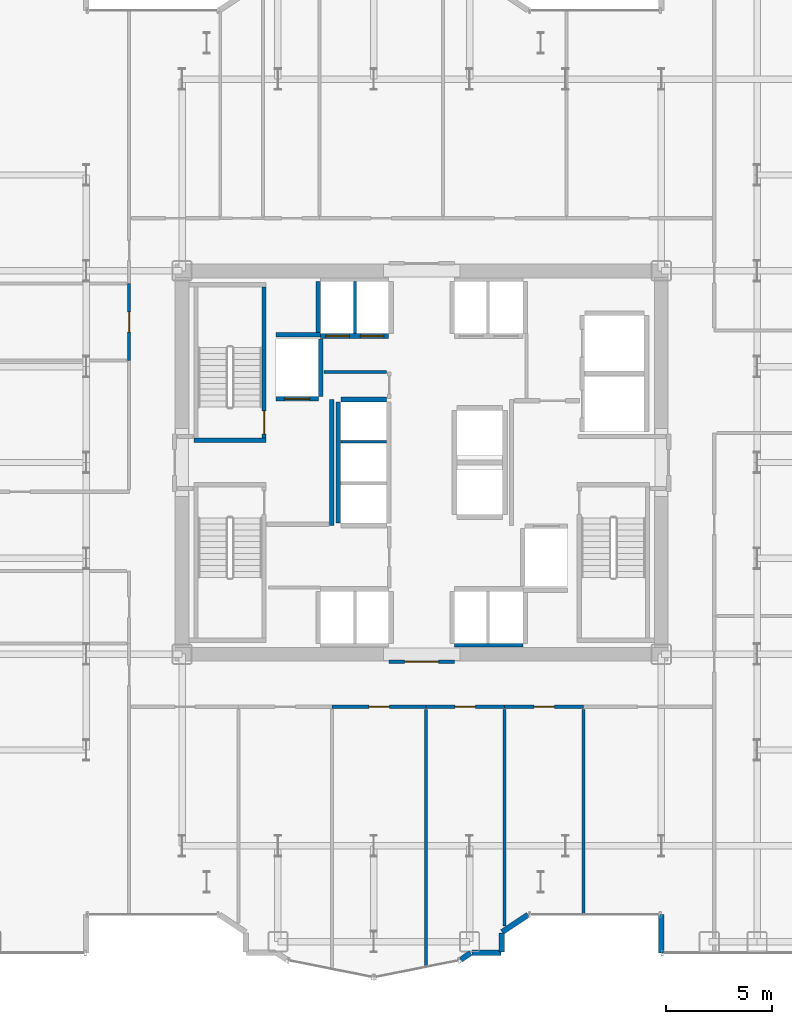
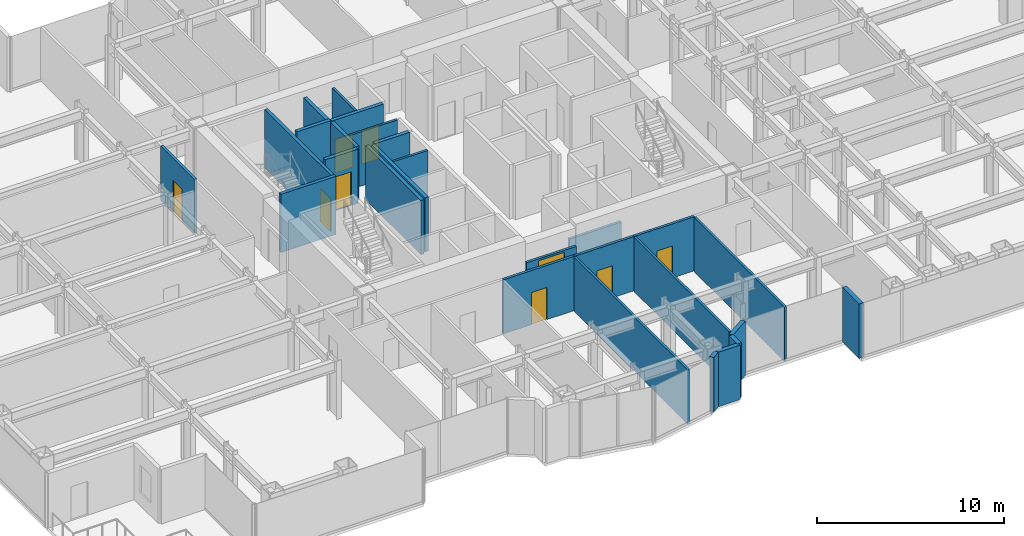
# One storey, part 21 of 27: 27 walls, 9 doors, 9 openings.
"""IFC4 building model written with IfcOpenShell, lengths in metres."""

from ifc_helpers import new_model, si_unit, direction, frame, frame_2d, origin, place, context, subcontext, project, spatial, rectangle, extrude, source, transform, mapped, material, layer, layer_set, type_object, element, fill, save


model = new_model("IFC4")

# Units and contexts
model_context = context("Model", 3, precision=1e-05, world=origin(), true_north=direction((0.0, 1.0)))
body_context = subcontext(model_context, "Body", "Model", "MODEL_VIEW")
ifc_project = project(units=[si_unit("LENGTHUNIT", "METRE"), si_unit("AREAUNIT", "SQUARE_METRE"), si_unit("VOLUMEUNIT", "CUBIC_METRE"), si_unit("PLANEANGLEUNIT", "RADIAN"), si_unit("MASSUNIT", "GRAM", prefix="KILO")], contexts=[model_context])

# Site, building, storey
site_placement = place(None, origin())
site = spatial("IfcSite", under=ifc_project, at=site_placement, CompositionType="ELEMENT")
building_placement = place(site_placement, origin())
building = spatial("IfcBuilding", under=site, at=building_placement, Name="Nefas-Gora Pilgrimage Tower", CompositionType="ELEMENT")
storey_placement = place(building_placement, frame((0.0, 0.0, 48.199951171875)))
storey = spatial("IfcBuildingStorey", under=building, at=storey_placement, Name="L10", CompositionType="ELEMENT", Elevation=48.199951171875)

# Walls
ifc_material_1 = material(Name="Precast concrete C40/50", Category="concrete")
ifc_layer_1 = layer(ifc_material_1, 0.260009765625)
ifc_layer_set_1 = layer_set([ifc_layer_1], Name="Precast concrete C40/50")
wall_type_1 = type_object("IfcWallType", Name="EW-PORTAL-260", PredefinedType="SOLIDWALL", material=ifc_layer_set_1)
shared_shape_1 = source(origin(), body_context, "Body", "SweptSolid", [
    extrude(rectangle(XDim=1.800048828125, YDim=0.260009765625, at=frame_2d((0.89990234375, 0.0))), origin(), (0.0, 0.0, 1.0), 3.550048828125),
])
wall_1_placement = place(storey_placement, frame((11.25, -21.219970703125, 0.0), z_axis=(0.0, 0.0, 1.0), x_axis=(0.0, -1.0, 0.0)))
element("IfcWall", 1, at=wall_1_placement, inside=storey, type_object=wall_type_1, Name="L10 Lobe Shoulder Precast Spandrel Pier 1", PredefinedType="SOLIDWALL", context=body_context, shape_type="MappedRepresentation", body=[
    mapped(shared_shape_1, transform((0.0, 0.0, 0.0), x_axis=(1.0, 0.0, 0.0), y_axis=(0.0, 1.0, 0.0), z_axis=(0.0, 0.0, 1.0), scale=1.0)),
])
shared_shape_2 = source(origin(), body_context, "Body", "SweptSolid", [
    extrude(rectangle(XDim=1.468994140625, YDim=0.260009765625, at=frame_2d((0.734375, 0.0))), origin(), (0.0, 0.0, 1.0), 3.550048828125),
])
wall_2_placement = place(storey_placement, frame((3.773193359375, -22.0517578125, 0.0), z_axis=(0.0, 0.0, 1.0), x_axis=(0.831461760506, 0.555581983884, 0.0)))
element("IfcWall", 2, at=wall_2_placement, inside=storey, type_object=wall_type_1, Name="L10 Lobe Shoulder Precast Spandrel Pier 35", PredefinedType="SOLIDWALL", context=body_context, shape_type="MappedRepresentation", body=[
    mapped(shared_shape_2, transform((0.0, 0.0, 0.0), x_axis=(1.0, 0.0, 0.0), y_axis=(0.0, 1.0, 0.0), z_axis=(0.0, 0.0, 1.0), scale=1.0)),
])
shared_shape_3 = source(origin(), body_context, "Body", "SweptSolid", [
    extrude(rectangle(XDim=0.896728515625, YDim=0.260009765625, at=frame_2d((0.4482421875, 0.0))), origin(), (0.0, 0.0, 1.0), 3.550048828125),
])
wall_3_placement = place(storey_placement, frame((3.75, -22.991943359375, 0.0), z_axis=(0.0, 0.0, 1.0), x_axis=(0.0, 1.0, 0.0)))
element("IfcWall", 3, at=wall_3_placement, inside=storey, type_object=wall_type_1, Name="L10 Lobe Shoulder Precast Spandrel Pier 34", PredefinedType="SOLIDWALL", context=body_context, shape_type="MappedRepresentation", body=[
    mapped(shared_shape_3, transform((0.0, 0.0, 0.0), x_axis=(1.0, 0.0, 0.0), y_axis=(0.0, 1.0, 0.0), z_axis=(0.0, 0.0, 1.0), scale=1.0)),
])
shared_shape_4 = source(origin(), body_context, "Body", "SweptSolid", [
    extrude(rectangle(XDim=1.369873046875, YDim=0.260009765625, at=frame_2d((0.68505859375, 0.0))), origin(), (0.0, 0.0, 1.0), 3.550048828125),
])
wall_4_placement = place(storey_placement, frame((2.35205078125, -23.02001953125, 0.0), z_axis=(0.0, 0.0, 1.0), x_axis=(1.0, 0.0, 0.0)))
element("IfcWall", 4, at=wall_4_placement, inside=storey, type_object=wall_type_1, Name="L10 Lobe Shoulder Precast Spandrel Pier 33", PredefinedType="SOLIDWALL", context=body_context, shape_type="MappedRepresentation", body=[
    mapped(shared_shape_4, transform((0.0, 0.0, 0.0), x_axis=(1.0, 0.0, 0.0), y_axis=(0.0, 1.0, 0.0), z_axis=(0.0, 0.0, 1.0), scale=1.0)),
])
shared_shape_5 = source(origin(), body_context, "Body", "SweptSolid", [
    extrude(rectangle(XDim=0.5654296875, YDim=0.260009765625, at=frame_2d((0.28271484375, 0.0))), origin(), (0.0, 0.0, 1.0), 3.550048828125),
])
wall_5_placement = place(storey_placement, frame((1.83056640625, -23.349609375, 0.0), z_axis=(0.0, 0.0, 1.0), x_axis=(0.831651492666, 0.555297933317, 0.0)))
element("IfcWall", 5, at=wall_5_placement, inside=storey, type_object=wall_type_1, Name="L10 Lobe Shoulder Precast Spandrel Pier 32", PredefinedType="SOLIDWALL", context=body_context, shape_type="MappedRepresentation", body=[
    mapped(shared_shape_5, transform((0.0, 0.0, 0.0), x_axis=(1.0, 0.0, 0.0), y_axis=(0.0, 1.0, 0.0), z_axis=(0.0, 0.0, 1.0), scale=1.0)),
])
ifc_material_2 = material(Name="Concrete C45/55", Category="concrete")
ifc_layer_2 = layer(ifc_material_2, 0.199951171875)
ifc_layer_set_2 = layer_set([ifc_layer_2], Name="Concrete C45/55")
wall_type_2 = type_object("IfcWallType", Name="IW-STAIR-200", PredefinedType="SOLIDWALL", material=ifc_layer_set_2)
shared_shape_6 = source(origin(), body_context, "Body", "SweptSolid", [
    extrude(rectangle(XDim=3.39990234375, YDim=0.199951171875, at=frame_2d((1.699951171875, 0.0))), origin(), (0.0, 0.0, 1.0), 3.800048828125),
])
wall_6_placement = place(storey_placement, frame((-7.300048828125, 1.050048828125, 0.0), z_axis=(0.0, 0.0, 1.0), x_axis=(-1.0, 0.0, 0.0)))
element("IfcWall", 6, at=wall_6_placement, inside=storey, type_object=wall_type_2, Name="L10 Stairwell Shear Wall ST-01-near", PredefinedType="SOLIDWALL", context=body_context, shape_type="MappedRepresentation", body=[
    mapped(shared_shape_6, transform((0.0, 0.0, 0.0), x_axis=(1.0, 0.0, 0.0), y_axis=(0.0, 1.0, 0.0), z_axis=(0.0, 0.0, 1.0), scale=1.0)),
])

# Wall, opening, door
shared_shape_7 = source(origin(), body_context, "Body", "SweptSolid", [
    extrude(rectangle(XDim=7.10009765625, YDim=0.199951171875, at=frame_2d((3.550048828125, 0.0))), origin(), (0.0, 0.0, 1.0), 3.800048828125),
])
wall_7_placement = place(storey_placement, frame((-7.39990234375, 1.14990234375, 0.0), z_axis=(0.0, 0.0, 1.0), x_axis=(0.0, 1.0, 0.0)))
wall_7 = element("IfcWall", 7, at=wall_7_placement, inside=storey, type_object=wall_type_2, Name="L10 Stairwell Shear Wall ST-01-left", PredefinedType="SOLIDWALL", context=body_context, shape_type="MappedRepresentation", body=[
    mapped(shared_shape_7, transform((0.0, 0.0, 0.0), x_axis=(1.0, 0.0, 0.0), y_axis=(0.0, 1.0, 0.0), z_axis=(0.0, 0.0, 1.0), scale=1.0)),
])
opening_1_placement = place(wall_7_placement, frame((0.179931640625, 0.0, 0.0)))
opening_1 = element("IfcOpeningElement", 8, at=opening_1_placement, cuts=wall_7, Name="Opening ID-ST1", PredefinedType="OPENING", context=body_context, shape_type="SweptSolid", body=[
    extrude(rectangle(XDim=1.10009765625, YDim=2.14990234375, at=frame_2d((0.550048828125, 1.074951171875))), frame((0.0, 0.10986328125, 0.0), z_axis=(0.0, -1.0, 0.0), x_axis=(1.0, 0.0, 0.0)), (0.0, 0.0, 1.0), 0.219970703125),
])
ifc_material_3 = material(Name="Painted galvanised steel fire stair door", Category="steel")
door_type_1 = type_object("IfcDoorType", Name="DR-INT-STAIR-1100", OperationType="NOTDEFINED", PredefinedType="DOOR", material=ifc_material_3)
shared_shape_8 = source(origin(), body_context, "Body", "SweptSolid", [
    extrude(rectangle(XDim=1.10009765625, YDim=2.14990234375, at=frame_2d((0.550048828125, 1.074951171875))), frame((0.0, 0.02490234375, 0.0), z_axis=(0.0, -1.0, 0.0), x_axis=(1.0, 0.0, 0.0)), (0.0, 0.0, 1.0), 0.050048828125),
])
door_1_placement = place(opening_1_placement, origin())
door_1 = element("IfcDoor", 9, at=door_1_placement, inside=storey, type_object=door_type_1, Name="L10 Protected Exit Stair Door ST-01", OperationType="SINGLE_SWING_RIGHT", OverallHeight=2.14990234375, OverallWidth=1.10009765625, PredefinedType="DOOR", context=body_context, shape_type="MappedRepresentation", body=[
    mapped(shared_shape_8, transform((0.0, 0.0, 0.0), x_axis=(1.0, 0.0, 0.0), y_axis=(0.0, 1.0, 0.0), z_axis=(0.0, 0.0, 1.0), scale=1.0)),
])
fill(opening_1, door_1)

# Wall
ifc_material_4 = material(Name="Gypsum acoustic stud partition")
ifc_layer_3 = layer(ifc_material_4, 0.159912109375)
ifc_layer_set_3 = layer_set([ifc_layer_3], Name="Gypsum acoustic stud partition")
wall_type_3 = type_object("IfcWallType", Name="IW-CORR-160", PredefinedType="PARTITIONING", material=ifc_layer_set_3)
shared_shape_9 = source(origin(), body_context, "Body", "SweptSolid", [
    extrude(rectangle(XDim=3.199951171875, YDim=0.159912109375, at=frame_2d((1.60009765625, 0.0))), origin(), (0.0, 0.0, 1.0), 2.425048828125),
])
wall_8_placement = place(storey_placement, frame((1.550048828125, -8.580078125, 0.0), z_axis=(0.0, 0.0, 1.0), x_axis=(1.0, 0.0, 0.0)))
element("IfcWall", 10, at=wall_8_placement, inside=storey, type_object=wall_type_3, Name="L10 Hoistway Wall PL2-E-S", PredefinedType="PARTITIONING", context=body_context, shape_type="MappedRepresentation", body=[
    mapped(shared_shape_9, transform((0.0, 0.0, 0.0), x_axis=(1.0, 0.0, 0.0), y_axis=(0.0, 1.0, 0.0), z_axis=(0.0, 0.0, 1.0), scale=1.0)),
])

# Wall, opening, door
ifc_material_5 = material(Name="Concrete C40/50", Category="concrete")
ifc_layer_4 = layer(ifc_material_5, 0.219970703125)
ifc_layer_set_4 = layer_set([ifc_layer_4], Name="Concrete C40/50")
wall_type_4 = type_object("IfcWallType", Name="IW-SHAFT-220", PredefinedType="SOLIDWALL", material=ifc_layer_set_4)
shared_shape_10 = source(origin(), body_context, "Body", "SweptSolid", [
    extrude(rectangle(XDim=2.0, YDim=0.219970703125, at=frame_2d((1.0, 0.0))), origin(), (0.0, 0.0, 1.0), 3.53515625),
])
wall_9_placement = place(storey_placement, frame((-6.85009765625, 2.989990234375, 0.0), z_axis=(0.0, 0.0, 1.0), x_axis=(1.0, 0.0, 0.0)))
wall_9 = element("IfcWall", 11, at=wall_9_placement, inside=storey, type_object=wall_type_4, Name="L10 Hoistway Wall FFL-01-S", PredefinedType="SOLIDWALL", context=body_context, shape_type="MappedRepresentation", body=[
    mapped(shared_shape_10, transform((0.0, 0.0, 0.0), x_axis=(1.0, 0.0, 0.0), y_axis=(0.0, 1.0, 0.0), z_axis=(0.0, 0.0, 1.0), scale=1.0)),
])
opening_2_placement = place(wall_9_placement, frame((0.39990234375, 0.0, 0.0)))
opening_2 = element("IfcOpeningElement", 12, at=opening_2_placement, cuts=wall_9, Name="Opening LD-FF", PredefinedType="OPENING", context=body_context, shape_type="SweptSolid", body=[
    extrude(rectangle(XDim=1.199951171875, YDim=2.199951171875, at=frame_2d((0.60009765625, 1.10009765625))), frame((0.0, 0.119873046875, 0.0), z_axis=(0.0, -1.0, 0.0), x_axis=(1.0, 0.0, 0.0)), (0.0, 0.0, 1.0), 0.239990234375),
])
ifc_material_6 = material(Name="Fire-service sliding lift landing door")
door_type_2 = type_object("IfcDoorType", Name="DR-LIFT-FSAE-1200", OperationType="SLIDING_TO_LEFT", PredefinedType="DOOR", material=ifc_material_6)
shared_shape_11 = source(origin(), body_context, "Body", "SweptSolid", [
    extrude(rectangle(XDim=1.199951171875, YDim=2.199951171875, at=frame_2d((0.60009765625, 1.10009765625))), frame((0.0, 0.02490234375, 0.0), z_axis=(0.0, -1.0, 0.0), x_axis=(1.0, 0.0, 0.0)), (0.0, 0.0, 1.0), 0.050048828125),
])
door_2_placement = place(opening_2_placement, origin())
door_2 = element("IfcDoor", 13, at=door_2_placement, inside=storey, type_object=door_type_2, Name="L10 Sliding Lift Landing Door FFL-01", OperationType="SLIDING_TO_LEFT", OverallHeight=2.199951171875, OverallWidth=1.199951171875, PredefinedType="DOOR", context=body_context, shape_type="MappedRepresentation", body=[
    mapped(shared_shape_11, transform((0.0, 0.0, 0.0), x_axis=(1.0, 0.0, 0.0), y_axis=(0.0, 1.0, 0.0), z_axis=(0.0, 0.0, 1.0), scale=1.0)),
])
fill(opening_2, door_2)

# Wall
shared_shape_12 = source(origin(), body_context, "Body", "SweptSolid", [
    extrude(rectangle(XDim=2.679931640625, YDim=0.219970703125, at=frame_2d((1.33984375, 0.0))), origin(), (0.0, 0.0, 1.0), 3.53515625),
])
wall_10_placement = place(storey_placement, frame((-4.739990234375, 3.110107421875, 0.0), z_axis=(0.0, 0.0, 1.0), x_axis=(0.0, 1.0, 0.0)))
element("IfcWall", 14, at=wall_10_placement, inside=storey, type_object=wall_type_4, Name="L10 Hoistway Wall FFL-01-E", PredefinedType="SOLIDWALL", context=body_context, shape_type="MappedRepresentation", body=[
    mapped(shared_shape_12, transform((0.0, 0.0, 0.0), x_axis=(1.0, 0.0, 0.0), y_axis=(0.0, 1.0, 0.0), z_axis=(0.0, 0.0, 1.0), scale=1.0)),
])

# Wall, openings, doors
shared_shape_13 = source(origin(), body_context, "Body", "SweptSolid", [
    extrude(rectangle(XDim=3.199951171875, YDim=0.219970703125, at=frame_2d((1.60009765625, 0.0))), origin(), (0.0, 0.0, 1.0), 3.53515625),
])
wall_11_placement = place(storey_placement, frame((-4.75, 5.93994140625, 0.0), z_axis=(0.0, 0.0, 1.0), x_axis=(1.0, 0.0, 0.0)))
wall_11 = element("IfcWall", 15, at=wall_11_placement, inside=storey, type_object=wall_type_4, Name="L10 Hoistway Wall PL1-W-S", PredefinedType="SOLIDWALL", context=body_context, shape_type="MappedRepresentation", body=[
    mapped(shared_shape_13, transform((0.0, 0.0, 0.0), x_axis=(1.0, 0.0, 0.0), y_axis=(0.0, 1.0, 0.0), z_axis=(0.0, 0.0, 1.0), scale=1.0)),
])
opening_3_placement = place(wall_11_placement, frame((0.25, 0.0, 0.0)))
opening_3 = element("IfcOpeningElement", 16, at=opening_3_placement, cuts=wall_11, Name="Opening LD-01", PredefinedType="OPENING", context=body_context, shape_type="SweptSolid", body=[
    extrude(rectangle(XDim=1.10009765625, YDim=2.199951171875, at=frame_2d((0.550048828125, 1.10009765625))), frame((0.0, 0.119873046875, 0.0), z_axis=(0.0, -1.0, 0.0), x_axis=(1.0, 0.0, 0.0)), (0.0, 0.0, 1.0), 0.239990234375),
])
opening_4_placement = place(wall_11_placement, frame((1.875, 0.0, 0.0)))
opening_4 = element("IfcOpeningElement", 17, at=opening_4_placement, cuts=wall_11, Name="Opening LD-01", PredefinedType="OPENING", context=body_context, shape_type="SweptSolid", body=[
    extrude(rectangle(XDim=1.10009765625, YDim=2.199951171875, at=frame_2d((0.550048828125, 1.10009765625))), frame((0.0, 0.119873046875, 0.0), z_axis=(0.0, -1.0, 0.0), x_axis=(1.0, 0.0, 0.0)), (0.0, 0.0, 1.0), 0.239990234375),
])
ifc_material_7 = material(Name="Brushed stainless sliding lift landing door")
door_type_3 = type_object("IfcDoorType", Name="DR-LIFT-PASS-1100", OperationType="DOUBLE_DOOR_SLIDING", PredefinedType="DOOR", material=ifc_material_7)
shared_shape_14 = source(origin(), body_context, "Body", "SweptSolid", [
    extrude(rectangle(XDim=1.10009765625, YDim=2.199951171875, at=frame_2d((0.550048828125, 1.10009765625))), frame((0.0, 0.02490234375, 0.0), z_axis=(0.0, -1.0, 0.0), x_axis=(1.0, 0.0, 0.0)), (0.0, 0.0, 1.0), 0.050048828125),
])
door_3_placement = place(opening_3_placement, origin())
door_3 = element("IfcDoor", 18, at=door_3_placement, inside=storey, type_object=door_type_3, Name="L10 Sliding Lift Landing Door PL1-01", OperationType="DOUBLE_DOOR_SLIDING", OverallHeight=2.199951171875, OverallWidth=1.10009765625, PredefinedType="DOOR", context=body_context, shape_type="MappedRepresentation", body=[
    mapped(shared_shape_14, transform((0.0, 0.0, 0.0), x_axis=(1.0, 0.0, 0.0), y_axis=(0.0, 1.0, 0.0), z_axis=(0.0, 0.0, 1.0), scale=1.0)),
])
fill(opening_3, door_3)
door_4_placement = place(opening_4_placement, origin())
door_4 = element("IfcDoor", 19, at=door_4_placement, inside=storey, type_object=door_type_3, Name="L10 Sliding Lift Landing Door PL1-02", OperationType="DOUBLE_DOOR_SLIDING", OverallHeight=2.199951171875, OverallWidth=1.10009765625, PredefinedType="DOOR", context=body_context, shape_type="MappedRepresentation", body=[
    mapped(shared_shape_14, transform((0.0, 0.0, 0.0), x_axis=(1.0, 0.0, 0.0), y_axis=(0.0, 1.0, 0.0), z_axis=(0.0, 0.0, 1.0), scale=1.0)),
])
fill(opening_4, door_4)

# Walls
shared_shape_15 = source(origin(), body_context, "Body", "SweptSolid", [
    extrude(rectangle(XDim=2.429931640625, YDim=0.219970703125, at=frame_2d((1.21484375, 0.0))), origin(), (0.0, 0.0, 1.0), 3.53515625),
])
wall_12_placement = place(storey_placement, frame((-4.860107421875, 8.489990234375, 0.0), z_axis=(0.0, 0.0, 1.0), x_axis=(0.0, -1.0, 0.0)))
element("IfcWall", 20, at=wall_12_placement, inside=storey, type_object=wall_type_4, Name="L10 Hoistway Wall PL1-W-W", PredefinedType="SOLIDWALL", context=body_context, shape_type="MappedRepresentation", body=[
    mapped(shared_shape_15, transform((0.0, 0.0, 0.0), x_axis=(1.0, 0.0, 0.0), y_axis=(0.0, 1.0, 0.0), z_axis=(0.0, 0.0, 1.0), scale=1.0)),
])
ifc_material_8 = material(Name="Gypsum twin-stud partition")
ifc_layer_5 = layer(ifc_material_8, 0.139892578125)
ifc_layer_set_5 = layer_set([ifc_layer_5], Name="Gypsum twin-stud partition")
wall_type_5 = type_object("IfcWallType", Name="IW-UNIT-140", PredefinedType="PARTITIONING", material=ifc_layer_set_5)
shared_shape_16 = source(origin(), body_context, "Body", "SweptSolid", [
    extrude(rectangle(XDim=2.429931640625, YDim=0.139892578125, at=frame_2d((1.21484375, 0.0))), origin(), (0.0, 0.0, 1.0), 3.53515625),
])
wall_13_placement = place(storey_placement, frame((-3.125, 6.06005859375, 0.0), z_axis=(0.0, 0.0, 1.0), x_axis=(0.0, 1.0, 0.0)))
element("IfcWall", 21, at=wall_13_placement, inside=storey, type_object=wall_type_5, Name="L10 Hoistway Wall PL1-W-DIV", PredefinedType="PARTITIONING", context=body_context, shape_type="MappedRepresentation", body=[
    mapped(shared_shape_16, transform((0.0, 0.0, 0.0), x_axis=(1.0, 0.0, 0.0), y_axis=(0.0, 1.0, 0.0), z_axis=(0.0, 0.0, 1.0), scale=1.0)),
])
shared_shape_17 = source(origin(), body_context, "Body", "SweptSolid", [
    extrude(rectangle(XDim=5.7001953125, YDim=0.219970703125, at=frame_2d((2.85009765625, 0.0))), origin(), (0.0, 0.0, 1.0), 3.53515625),
])
wall_14_placement = place(storey_placement, frame((-3.909912109375, 2.85009765625, 0.0), z_axis=(0.0, 0.0, 1.0), x_axis=(0.0, -1.0, 0.0)))
element("IfcWall", 22, at=wall_14_placement, inside=storey, type_object=wall_type_4, Name="L10 Hoistway Wall PL3-01-03-W", PredefinedType="SOLIDWALL", context=body_context, shape_type="MappedRepresentation", body=[
    mapped(shared_shape_17, transform((0.0, 0.0, 0.0), x_axis=(1.0, 0.0, 0.0), y_axis=(0.0, 1.0, 0.0), z_axis=(0.0, 0.0, 1.0), scale=1.0)),
])
shared_shape_18 = source(origin(), body_context, "Body", "SweptSolid", [
    extrude(rectangle(XDim=2.130126953125, YDim=0.219970703125, at=frame_2d((1.06494140625, 0.0))), origin(), (0.0, 0.0, 1.0), 3.53515625),
])
wall_15_placement = place(storey_placement, frame((-1.659912109375, 2.9599609375, 0.0), z_axis=(0.0, 0.0, 1.0), x_axis=(-1.0, 0.0, 0.0)))
element("IfcWall", 23, at=wall_15_placement, inside=storey, type_object=wall_type_4, Name="L10 Hoistway Wall PL3-03-N", PredefinedType="SOLIDWALL", context=body_context, shape_type="MappedRepresentation", body=[
    mapped(shared_shape_18, transform((0.0, 0.0, 0.0), x_axis=(1.0, 0.0, 0.0), y_axis=(0.0, 1.0, 0.0), z_axis=(0.0, 0.0, 1.0), scale=1.0)),
])
shared_shape_19 = source(origin(), body_context, "Body", "SweptSolid", [
    extrude(rectangle(XDim=2.130126953125, YDim=0.139892578125, at=frame_2d((1.06494140625, 0.0))), origin(), (0.0, 0.0, 1.0), 3.53515625),
])
wall_16_placement = place(storey_placement, frame((-3.7900390625, 0.97509765625, 0.0), z_axis=(0.0, 0.0, 1.0), x_axis=(1.0, 0.0, 0.0)))
element("IfcWall", 24, at=wall_16_placement, inside=storey, type_object=wall_type_5, Name="L10 Hoistway Wall PL3-02-03-DIV", PredefinedType="PARTITIONING", context=body_context, shape_type="MappedRepresentation", body=[
    mapped(shared_shape_19, transform((0.0, 0.0, 0.0), x_axis=(1.0, 0.0, 0.0), y_axis=(0.0, 1.0, 0.0), z_axis=(0.0, 0.0, 1.0), scale=1.0)),
])

# Wall, opening, door
shared_shape_20 = source(origin(), body_context, "Body", "SweptSolid", [
    extrude(rectangle(XDim=3.08984375, YDim=0.159912109375, at=frame_2d((1.544921875, 0.0))), origin(), (0.0, 0.0, 1.0), 2.425048828125),
])
wall_17_placement = place(storey_placement, frame((-1.544921875, -9.35009765625, 0.0), z_axis=(0.0, 0.0, 1.0), x_axis=(1.0, 0.0, 0.0)))
wall_17 = element("IfcWall", 25, at=wall_17_placement, inside=storey, type_object=wall_type_3, Name="L10 Central Lift Lobby South Portal Wall 14", PredefinedType="PARTITIONING", context=body_context, shape_type="MappedRepresentation", body=[
    mapped(shared_shape_20, transform((0.0, 0.0, 0.0), x_axis=(1.0, 0.0, 0.0), y_axis=(0.0, 1.0, 0.0), z_axis=(0.0, 0.0, 1.0), scale=1.0)),
])
opening_5_placement = place(wall_17_placement, frame((0.7451171875, 0.0, 0.0)))
opening_5 = element("IfcOpeningElement", 26, at=opening_5_placement, cuts=wall_17, Name="Opening ID-HL1", PredefinedType="OPENING", context=body_context, shape_type="SweptSolid", body=[
    extrude(rectangle(XDim=1.60009765625, YDim=2.300048828125, at=frame_2d((0.800048828125, 1.14990234375))), frame((0.0, 0.08984375, 0.0), z_axis=(0.0, -1.0, 0.0), x_axis=(1.0, 0.0, 0.0)), (0.0, 0.0, 1.0), 0.179931640625),
])
ifc_material_9 = material(Name="Double acoustic timber assembly hall door", Category="wood")
door_type_4 = type_object("IfcDoorType", Name="DR-INT-HALL-1600", OperationType="DOUBLE_DOOR_SINGLE_SWING", PredefinedType="DOOR", material=ifc_material_9)
shared_shape_21 = source(origin(), body_context, "Body", "SweptSolid", [
    extrude(rectangle(XDim=1.60009765625, YDim=2.300048828125, at=frame_2d((0.800048828125, 1.14990234375))), frame((0.0, 0.02490234375, 0.0), z_axis=(0.0, -1.0, 0.0), x_axis=(1.0, 0.0, 0.0)), (0.0, 0.0, 1.0), 0.050048828125),
])
door_5_placement = place(opening_5_placement, origin())
door_5 = element("IfcDoor", 27, at=door_5_placement, inside=storey, type_object=door_type_4, Name="L10 Central Lift Lobby South Portal Door 5", OperationType="DOUBLE_DOOR_SINGLE_SWING", OverallHeight=2.300048828125, OverallWidth=1.60009765625, PredefinedType="DOOR", context=body_context, shape_type="MappedRepresentation", body=[
    mapped(shared_shape_21, transform((0.0, 0.0, 0.0), x_axis=(1.0, 0.0, 0.0), y_axis=(0.0, 1.0, 0.0), z_axis=(0.0, 0.0, 1.0), scale=1.0)),
])
fill(opening_5, door_5)

# Walls
shared_shape_22 = source(origin(), body_context, "Body", "SweptSolid", [
    extrude(rectangle(XDim=2.09521484375, YDim=0.219970703125, at=frame_2d((1.047607421875, 0.0))), origin(), (0.0, 0.0, 1.0), 3.53515625),
])
wall_18_placement = place(storey_placement, frame((-6.85009765625, 6.0, 0.0), z_axis=(0.0, 0.0, 1.0), x_axis=(1.0, 0.0, 0.0)))
element("IfcWall", 28, at=wall_18_placement, inside=storey, type_object=wall_type_4, Name="L10 Riser Shaft Wall 1", PredefinedType="SOLIDWALL", context=body_context, shape_type="MappedRepresentation", body=[
    mapped(shared_shape_22, transform((0.0, 0.0, 0.0), x_axis=(1.0, 0.0, 0.0), y_axis=(0.0, 1.0, 0.0), z_axis=(0.0, 0.0, 1.0), scale=1.0)),
])
ifc_material_10 = material(Name="Gypsum fire-rated shaftwall")
ifc_layer_6 = layer(ifc_material_10, 0.199951171875)
ifc_layer_set_6 = layer_set([ifc_layer_6], Name="Gypsum fire-rated shaftwall")
wall_type_6 = type_object("IfcWallType", Name="IW-FFLOB-200", PredefinedType="PARTITIONING", material=ifc_layer_set_6)
shared_shape_23 = source(origin(), body_context, "Body", "SweptSolid", [
    extrude(rectangle(XDim=5.89990234375, YDim=0.199951171875, at=frame_2d((2.949951171875, 0.0))), origin(), (0.0, 0.0, 1.0), 3.53515625),
])
wall_19_placement = place(storey_placement, frame((-4.219970703125, -2.949951171875, 0.0), z_axis=(0.0, 0.0, 1.0), x_axis=(0.0, 1.0, 0.0)))
element("IfcWall", 29, at=wall_19_placement, inside=storey, type_object=wall_type_6, Name="L10 FF Lobby West Inner Wall Wall 4", PredefinedType="PARTITIONING", context=body_context, shape_type="MappedRepresentation", body=[
    mapped(shared_shape_23, transform((0.0, 0.0, 0.0), x_axis=(1.0, 0.0, 0.0), y_axis=(0.0, 1.0, 0.0), z_axis=(0.0, 0.0, 1.0), scale=1.0)),
])
shared_shape_24 = source(origin(), body_context, "Body", "SweptSolid", [
    extrude(rectangle(XDim=2.9501953125, YDim=0.139892578125, at=frame_2d((1.47509765625, 0.0))), origin(), (0.0, 0.0, 1.0), 3.53515625),
])
wall_20_placement = place(storey_placement, frame((-4.590087890625, 4.25, 0.0), z_axis=(0.0, 0.0, 1.0), x_axis=(1.0, 0.0, 0.0)))
element("IfcWall", 30, at=wall_20_placement, inside=storey, type_object=wall_type_5, Name="L10 Housekeeping and Linen Store Partition Wall 17", PredefinedType="PARTITIONING", context=body_context, shape_type="MappedRepresentation", body=[
    mapped(shared_shape_24, transform((0.0, 0.0, 0.0), x_axis=(1.0, 0.0, 0.0), y_axis=(0.0, 1.0, 0.0), z_axis=(0.0, 0.0, 1.0), scale=1.0)),
])

# Wall, opening, door
shared_shape_25 = source(origin(), body_context, "Body", "SweptSolid", [
    extrude(rectangle(XDim=3.610107421875, YDim=0.159912109375, at=frame_2d((1.80517578125, 0.0))), origin(), (0.0, 0.0, 1.0), 3.53515625),
])
wall_21_placement = place(storey_placement, frame((-13.739990234375, 4.794921875, 0.0), z_axis=(0.0, 0.0, 1.0), x_axis=(0.0, 1.0, 0.0)))
wall_21 = element("IfcWall", 31, at=wall_21_placement, inside=storey, type_object=wall_type_3, Name="L10 Pilgrim Fellowship Seminar Room Partition Wall 31", PredefinedType="PARTITIONING", context=body_context, shape_type="MappedRepresentation", body=[
    mapped(shared_shape_25, transform((0.0, 0.0, 0.0), x_axis=(1.0, 0.0, 0.0), y_axis=(0.0, 1.0, 0.0), z_axis=(0.0, 0.0, 1.0), scale=1.0)),
])
opening_6_placement = place(wall_21_placement, frame((1.330078125, 0.0, 0.0)))
opening_6 = element("IfcOpeningElement", 32, at=opening_6_placement, cuts=wall_21, Name="Opening ID-GR1", PredefinedType="OPENING", context=body_context, shape_type="SweptSolid", body=[
    extrude(rectangle(XDim=0.949951171875, YDim=2.10009765625, at=frame_2d((0.47509765625, 1.050048828125))), frame((0.0, 0.08984375, 0.0), z_axis=(0.0, -1.0, 0.0), x_axis=(1.0, 0.0, 0.0)), (0.0, 0.0, 1.0), 0.179931640625),
])
ifc_material_11 = material(Name="Solid core oak fire-rated guest entrance door")
door_type_5 = type_object("IfcDoorType", Name="DR-INT-GUEST-950", OperationType="NOTDEFINED", PredefinedType="DOOR", material=ifc_material_11)
shared_shape_26 = source(origin(), body_context, "Body", "SweptSolid", [
    extrude(rectangle(XDim=0.949951171875, YDim=2.10009765625, at=frame_2d((0.47509765625, 1.050048828125))), frame((0.0, 0.02490234375, 0.0), z_axis=(0.0, -1.0, 0.0), x_axis=(1.0, 0.0, 0.0)), (0.0, 0.0, 1.0), 0.050048828125),
])
door_6_placement = place(opening_6_placement, origin())
door_6 = element("IfcDoor", 33, at=door_6_placement, inside=storey, type_object=door_type_5, Name="L10 Pilgrim Fellowship Seminar Room Door 13", OperationType="SINGLE_SWING_RIGHT", OverallHeight=2.10009765625, OverallWidth=0.949951171875, PredefinedType="DOOR", context=body_context, shape_type="MappedRepresentation", body=[
    mapped(shared_shape_26, transform((0.0, 0.0, 0.0), x_axis=(1.0, 0.0, 0.0), y_axis=(0.0, 1.0, 0.0), z_axis=(0.0, 0.0, 1.0), scale=1.0)),
])
fill(opening_6, door_6)

# Wall
shared_shape_27 = source(origin(), body_context, "Body", "SweptSolid", [
    extrude(rectangle(XDim=9.64990234375, YDim=0.139892578125, at=frame_2d((4.824951171875, 0.0))), origin(), (0.0, 0.0, 1.0), 3.53515625),
])
wall_22_placement = place(storey_placement, frame((7.594970703125, -21.239990234375, 0.0), z_axis=(0.0, 0.0, 1.0), x_axis=(0.0, 1.0, 0.0)))
element("IfcWall", 34, at=wall_22_placement, inside=storey, type_object=wall_type_5, Name="L10 Pilgrim Contemplative Lounge Partition Wall 61", PredefinedType="PARTITIONING", context=body_context, shape_type="MappedRepresentation", body=[
    mapped(shared_shape_27, transform((0.0, 0.0, 0.0), x_axis=(1.0, 0.0, 0.0), y_axis=(0.0, 1.0, 0.0), z_axis=(0.0, 0.0, 1.0), scale=1.0)),
])

# Wall, opening, door
shared_shape_28 = source(origin(), body_context, "Body", "SweptSolid", [
    extrude(rectangle(XDim=4.405029296875, YDim=0.159912109375, at=frame_2d((2.20263671875, 0.0))), origin(), (0.0, 0.0, 1.0), 3.53515625),
])
wall_23_placement = place(storey_placement, frame((-4.199951171875, -11.469970703125, 0.0), z_axis=(0.0, 0.0, 1.0), x_axis=(1.0, 0.0, 0.0)))
wall_23 = element("IfcWall", 35, at=wall_23_placement, inside=storey, type_object=wall_type_3, Name="L10 Pilgrim Contemplative Lounge Partition Wall 56", PredefinedType="PARTITIONING", context=body_context, shape_type="MappedRepresentation", body=[
    mapped(shared_shape_28, transform((0.0, 0.0, 0.0), x_axis=(1.0, 0.0, 0.0), y_axis=(0.0, 1.0, 0.0), z_axis=(0.0, 0.0, 1.0), scale=1.0)),
])
opening_7_placement = place(wall_23_placement, frame((1.7275390625, 0.0, 0.0)))
opening_7 = element("IfcOpeningElement", 36, at=opening_7_placement, cuts=wall_23, Name="Opening ID-GR1", PredefinedType="OPENING", context=body_context, shape_type="SweptSolid", body=[
    extrude(rectangle(XDim=0.949951171875, YDim=2.10009765625, at=frame_2d((0.47509765625, 1.050048828125))), frame((0.0, 0.08984375, 0.0), z_axis=(0.0, -1.0, 0.0), x_axis=(1.0, 0.0, 0.0)), (0.0, 0.0, 1.0), 0.179931640625),
])
door_7_placement = place(opening_7_placement, origin())
door_7 = element("IfcDoor", 37, at=door_7_placement, inside=storey, type_object=door_type_5, Name="L10 Pilgrim Contemplative Lounge Door 27", OperationType="SINGLE_SWING_RIGHT", OverallHeight=2.10009765625, OverallWidth=0.949951171875, PredefinedType="DOOR", context=body_context, shape_type="MappedRepresentation", body=[
    mapped(shared_shape_26, transform((0.0, 0.0, 0.0), x_axis=(1.0, 0.0, 0.0), y_axis=(0.0, 1.0, 0.0), z_axis=(0.0, 0.0, 1.0), scale=1.0)),
])
fill(opening_7, door_7)

# Wall
shared_shape_29 = source(origin(), body_context, "Body", "SweptSolid", [
    extrude(rectangle(XDim=12.1162109375, YDim=0.139892578125, at=frame_2d((6.05810546875, 0.0))), origin(), (0.0, 0.0, 1.0), 3.53515625),
])
wall_24_placement = place(storey_placement, frame((0.195068359375, -23.706298828125, 0.0), z_axis=(0.0, 0.0, 1.0), x_axis=(0.0, 1.0, 0.0)))
element("IfcWall", 38, at=wall_24_placement, inside=storey, type_object=wall_type_5, Name="L10 Pilgrim Contemplative Lounge Partition Wall 57", PredefinedType="PARTITIONING", context=body_context, shape_type="MappedRepresentation", body=[
    mapped(shared_shape_29, transform((0.0, 0.0, 0.0), x_axis=(1.0, 0.0, 0.0), y_axis=(0.0, 1.0, 0.0), z_axis=(0.0, 0.0, 1.0), scale=1.0)),
])

# Wall, opening, door
shared_shape_30 = source(origin(), body_context, "Body", "SweptSolid", [
    extrude(rectangle(XDim=3.704833984375, YDim=0.159912109375, at=frame_2d((1.8525390625, 0.0))), origin(), (0.0, 0.0, 1.0), 3.53515625),
])
wall_25_placement = place(storey_placement, frame((0.195068359375, -11.469970703125, 0.0), z_axis=(0.0, 0.0, 1.0), x_axis=(1.0, 0.0, 0.0)))
wall_25 = element("IfcWall", 39, at=wall_25_placement, inside=storey, type_object=wall_type_3, Name="L10 Pilgrim Contemplative Lounge Partition Wall 58", PredefinedType="PARTITIONING", context=body_context, shape_type="MappedRepresentation", body=[
    mapped(shared_shape_30, transform((0.0, 0.0, 0.0), x_axis=(1.0, 0.0, 0.0), y_axis=(0.0, 1.0, 0.0), z_axis=(0.0, 0.0, 1.0), scale=1.0)),
])
opening_8_placement = place(wall_25_placement, frame((1.37744140625, 0.0, 0.0)))
opening_8 = element("IfcOpeningElement", 40, at=opening_8_placement, cuts=wall_25, Name="Opening ID-GR1", PredefinedType="OPENING", context=body_context, shape_type="SweptSolid", body=[
    extrude(rectangle(XDim=0.949951171875, YDim=2.10009765625, at=frame_2d((0.47509765625, 1.050048828125))), frame((0.0, 0.08984375, 0.0), z_axis=(0.0, -1.0, 0.0), x_axis=(1.0, 0.0, 0.0)), (0.0, 0.0, 1.0), 0.179931640625),
])
door_8_placement = place(opening_8_placement, origin())
door_8 = element("IfcDoor", 41, at=door_8_placement, inside=storey, type_object=door_type_5, Name="L10 Pilgrim Contemplative Lounge Door 28", OperationType="SINGLE_SWING_LEFT", OverallHeight=2.10009765625, OverallWidth=0.949951171875, PredefinedType="DOOR", context=body_context, shape_type="MappedRepresentation", body=[
    mapped(shared_shape_26, transform((0.0, 0.0, 0.0), x_axis=(1.0, 0.0, 0.0), y_axis=(0.0, 1.0, 0.0), z_axis=(0.0, 0.0, 1.0), scale=1.0)),
])
fill(opening_8, door_8)

# Wall
shared_shape_31 = source(origin(), body_context, "Body", "SweptSolid", [
    extrude(rectangle(XDim=10.181640625, YDim=0.139892578125, at=frame_2d((5.0908203125, 0.0))), origin(), (0.0, 0.0, 1.0), 3.53515625),
])
wall_26_placement = place(storey_placement, frame((3.889892578125, -21.771728515625, 0.0), z_axis=(0.0, 0.0, 1.0), x_axis=(0.0, 1.0, 0.0)))
element("IfcWall", 42, at=wall_26_placement, inside=storey, type_object=wall_type_5, Name="L10 Pilgrim Contemplative Lounge Partition Wall 59", PredefinedType="PARTITIONING", context=body_context, shape_type="MappedRepresentation", body=[
    mapped(shared_shape_31, transform((0.0, 0.0, 0.0), x_axis=(1.0, 0.0, 0.0), y_axis=(0.0, 1.0, 0.0), z_axis=(0.0, 0.0, 1.0), scale=1.0)),
])

# Wall, opening, door
shared_shape_32 = source(origin(), body_context, "Body", "SweptSolid", [
    extrude(rectangle(XDim=3.705078125, YDim=0.159912109375, at=frame_2d((1.8525390625, 0.0))), origin(), (0.0, 0.0, 1.0), 3.53515625),
])
wall_27_placement = place(storey_placement, frame((3.89990234375, -11.469970703125, 0.0), z_axis=(0.0, 0.0, 1.0), x_axis=(1.0, 0.0, 0.0)))
wall_27 = element("IfcWall", 43, at=wall_27_placement, inside=storey, type_object=wall_type_3, Name="L10 Pilgrim Contemplative Lounge Partition Wall 60", PredefinedType="PARTITIONING", context=body_context, shape_type="MappedRepresentation", body=[
    mapped(shared_shape_32, transform((0.0, 0.0, 0.0), x_axis=(1.0, 0.0, 0.0), y_axis=(0.0, 1.0, 0.0), z_axis=(0.0, 0.0, 1.0), scale=1.0)),
])
opening_9_placement = place(wall_27_placement, frame((1.37744140625, 0.0, 0.0)))
opening_9 = element("IfcOpeningElement", 44, at=opening_9_placement, cuts=wall_27, Name="Opening ID-GR1", PredefinedType="OPENING", context=body_context, shape_type="SweptSolid", body=[
    extrude(rectangle(XDim=0.949951171875, YDim=2.10009765625, at=frame_2d((0.47509765625, 1.050048828125))), frame((0.0, 0.08984375, 0.0), z_axis=(0.0, -1.0, 0.0), x_axis=(1.0, 0.0, 0.0)), (0.0, 0.0, 1.0), 0.179931640625),
])
door_9_placement = place(opening_9_placement, origin())
door_9 = element("IfcDoor", 45, at=door_9_placement, inside=storey, type_object=door_type_5, Name="L10 Pilgrim Contemplative Lounge Door 29", OperationType="SINGLE_SWING_RIGHT", OverallHeight=2.10009765625, OverallWidth=0.949951171875, PredefinedType="DOOR", context=body_context, shape_type="MappedRepresentation", body=[
    mapped(shared_shape_26, transform((0.0, 0.0, 0.0), x_axis=(1.0, 0.0, 0.0), y_axis=(0.0, 1.0, 0.0), z_axis=(0.0, 0.0, 1.0), scale=1.0)),
])
fill(opening_9, door_9)

save(model, "model.ifc")
